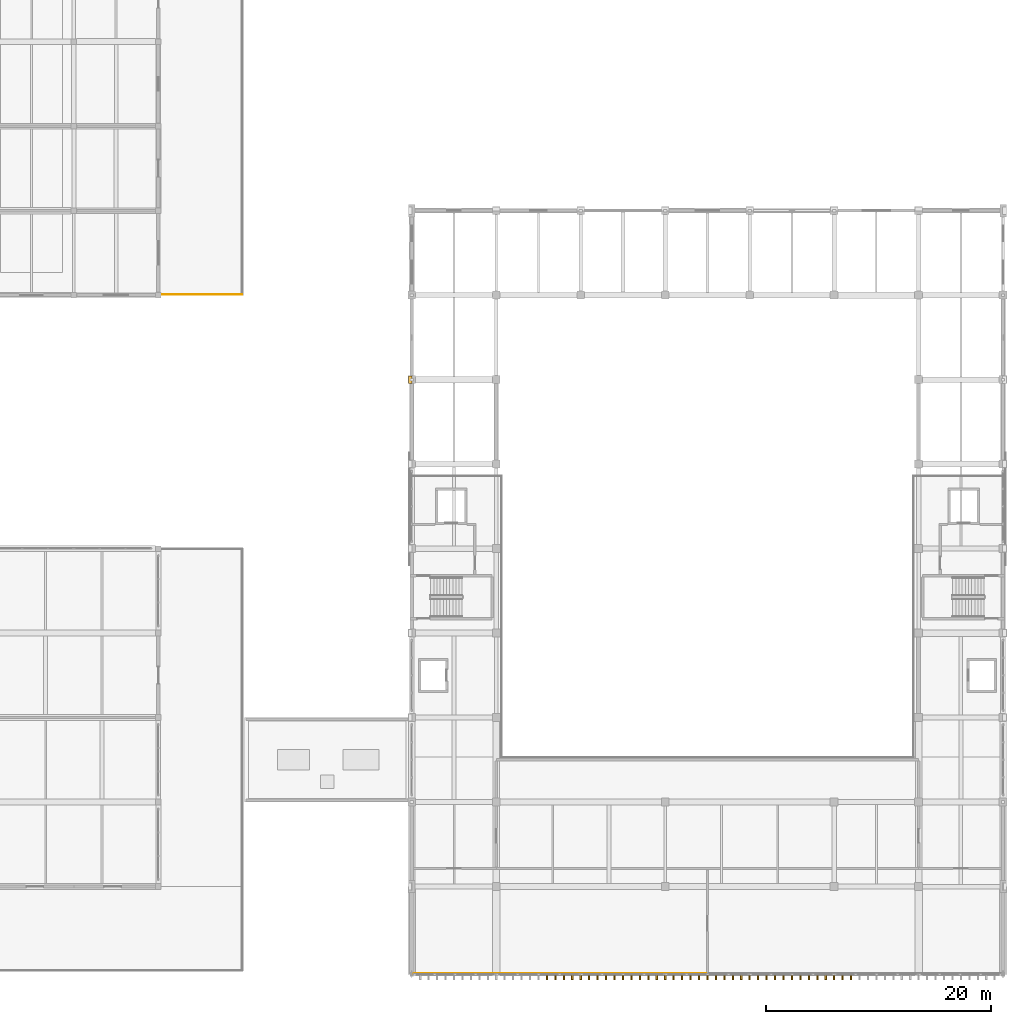
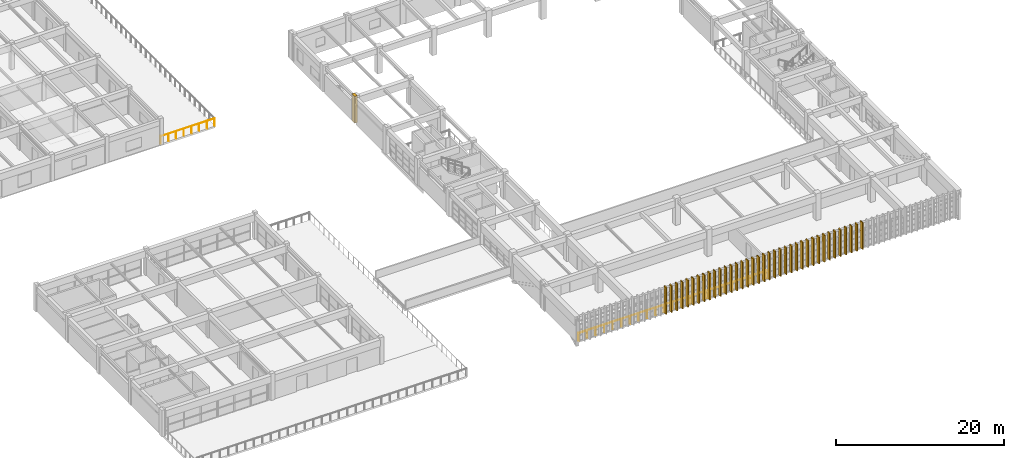
# One storey, part 76 of 82: 38 coverings, 2 railings.
"""IFC4 building model written with IfcOpenShell, lengths in metres."""

from ifc_helpers import new_model, si_unit, direction, frame, origin, origin_2d, place, context, subcontext, project, spatial, rectangle, circle, extrude, material, layer, layer_set, type_object, element, save


model = new_model("IFC4")

# Units and contexts
model_context = context("Model", 3, precision=1e-05, world=origin(), true_north=direction((0.0, 1.0)))
body_context = subcontext(model_context, "Body", "Model", "MODEL_VIEW")
ifc_project = project(units=[si_unit("LENGTHUNIT", "METRE"), si_unit("AREAUNIT", "SQUARE_METRE"), si_unit("VOLUMEUNIT", "CUBIC_METRE"), si_unit("PLANEANGLEUNIT", "RADIAN"), si_unit("MASSUNIT", "GRAM", prefix="KILO")], contexts=[model_context])

# Site, building, storey
site_placement = place(None, origin())
site = spatial("IfcSite", under=ifc_project, at=site_placement, CompositionType="ELEMENT")
building_placement = place(site_placement, origin())
building = spatial("IfcBuilding", under=site, at=building_placement, Name="Qasida Concert Hall", CompositionType="ELEMENT")
storey_placement = place(building_placement, frame((0.0, 0.0, 17.10009765625)))
storey = spatial("IfcBuildingStorey", under=building, at=storey_placement, Name="L04", CompositionType="ELEMENT", Elevation=17.10009765625)

# Coverings
ifc_material_1 = material(Name="Fluted ochre Lebanese limestone and patinated bronze fin", Category="masonry")
ifc_layer_1 = layer(ifc_material_1, 0.52001953125, Name="Fluted ochre Lebanese limestone and patinated bronze fin")
ifc_layer_set_1 = layer_set([ifc_layer_1], Name="Fluted ochre Lebanese limestone and patinated bronze fin")
covering_type_1 = type_object("IfcCoveringType", Name="CV-FIN-520", PredefinedType="CLADDING", material=ifc_layer_set_1)
for number, where, z_axis, x_axis, name in (
    (1, (64.5, 14.4599609375, 0.0), (0.0, 0.0, 1.0), (1.0, 0.0, 0.0), "L04 fluted facade fin FN-016"),
    (2, (65.25, 14.4599609375, 0.0), (0.0, 0.0, 1.0), (1.0, 0.0, 0.0), "L04 fluted facade fin FN-017"),
    (3, (66.0, 14.4599609375, 0.0), (0.0, 0.0, 1.0), (1.0, 0.0, 0.0), "L04 fluted facade fin FN-018"),
    (4, (66.75, 14.4599609375, 0.0), (0.0, 0.0, 1.0), (1.0, 0.0, 0.0), "L04 fluted facade fin FN-019"),
    (5, (67.5, 14.4599609375, 0.0), (0.0, 0.0, 1.0), (1.0, 0.0, 0.0), "L04 fluted facade fin FN-020"),
    (6, (68.25, 14.4599609375, 0.0), (0.0, 0.0, 1.0), (1.0, 0.0, 0.0), "L04 fluted facade fin FN-021"),
    (7, (69.0, 14.4599609375, 0.0), (0.0, 0.0, 1.0), (1.0, 0.0, 0.0), "L04 fluted facade fin FN-022"),
    (8, (69.75, 14.4599609375, 0.0), (0.0, 0.0, 1.0), (1.0, 0.0, 0.0), "L04 fluted facade fin FN-023"),
    (9, (70.5, 14.4599609375, 0.0), (0.0, 0.0, 1.0), (1.0, 0.0, 0.0), "L04 fluted facade fin FN-024"),
    (10, (71.25, 14.4599609375, 0.0), (0.0, 0.0, 1.0), (1.0, 0.0, 0.0), "L04 fluted facade fin FN-025"),
    (11, (72.0, 14.4599609375, 0.0), (0.0, 0.0, 1.0), (1.0, 0.0, 0.0), "L04 fluted facade fin FN-026"),
    (12, (72.75, 14.4599609375, 0.0), (0.0, 0.0, 1.0), (1.0, 0.0, 0.0), "L04 fluted facade fin FN-027"),
    (13, (73.5, 14.4599609375, 0.0), (0.0, 0.0, 1.0), (1.0, 0.0, 0.0), "L04 fluted facade fin FN-028"),
    (14, (74.25, 14.4599609375, 0.0), (0.0, 0.0, 1.0), (1.0, 0.0, 0.0), "L04 fluted facade fin FN-029"),
    (15, (75.0, 14.4599609375, 0.0), (0.0, 0.0, 1.0), (1.0, 0.0, 0.0), "L04 fluted facade fin FN-030"),
    (16, (75.75, 14.4599609375, 0.0), (0.0, 0.0, 1.0), (1.0, 0.0, 0.0), "L04 fluted facade fin FN-031"),
    (17, (76.5, 14.4599609375, 0.0), (0.0, 0.0, 1.0), (1.0, 0.0, 0.0), "L04 fluted facade fin FN-032"),
    (18, (77.25, 14.4599609375, 0.0), (0.0, 0.0, 1.0), (1.0, 0.0, 0.0), "L04 fluted facade fin FN-033"),
    (19, (78.0, 14.4599609375, 0.0), (0.0, 0.0, 1.0), (1.0, 0.0, 0.0), "L04 fluted facade fin FN-034"),
    (20, (78.75, 14.4599609375, 0.0), (0.0, 0.0, 1.0), (1.0, 0.0, 0.0), "L04 fluted facade fin FN-035"),
    (21, (79.5, 14.4599609375, 0.0), (0.0, 0.0, 1.0), (1.0, 0.0, 0.0), "L04 fluted facade fin FN-036"),
    (22, (80.25, 14.4599609375, 0.0), (0.0, 0.0, 1.0), (1.0, 0.0, 0.0), "L04 fluted facade fin FN-037"),
    (23, (81.0, 14.4599609375, 0.0), (0.0, 0.0, 1.0), (1.0, 0.0, 0.0), "L04 fluted facade fin FN-038"),
    (24, (81.75, 14.4599609375, 0.0), (0.0, 0.0, 1.0), (1.0, 0.0, 0.0), "L04 fluted facade fin FN-039"),
    (25, (82.5, 14.4599609375, 0.0), (0.0, 0.0, 1.0), (1.0, 0.0, 0.0), "L04 fluted facade fin FN-040"),
    (26, (83.25, 14.4599609375, 0.0), (0.0, 0.0, 1.0), (1.0, 0.0, 0.0), "L04 fluted facade fin FN-041"),
    (27, (84.0, 14.4599609375, 0.0), (0.0, 0.0, 1.0), (1.0, 0.0, 0.0), "L04 fluted facade fin FN-042"),
    (28, (84.75, 14.4599609375, 0.0), (0.0, 0.0, 1.0), (1.0, 0.0, 0.0), "L04 fluted facade fin FN-043"),
    (29, (85.5, 14.4599609375, 0.0), (0.0, 0.0, 1.0), (1.0, 0.0, 0.0), "L04 fluted facade fin FN-044"),
    (30, (86.25, 14.4599609375, 0.0), (0.0, 0.0, 1.0), (1.0, 0.0, 0.0), "L04 fluted facade fin FN-045"),
    (31, (87.0, 14.4599609375, 0.0), (0.0, 0.0, 1.0), (1.0, 0.0, 0.0), "L04 fluted facade fin FN-046"),
    (32, (87.75, 14.4599609375, 0.0), (0.0, 0.0, 1.0), (1.0, 0.0, 0.0), "L04 fluted facade fin FN-047"),
    (33, (88.5, 14.4599609375, 0.0), (0.0, 0.0, 1.0), (1.0, 0.0, 0.0), "L04 fluted facade fin FN-048"),
    (34, (89.25, 14.4599609375, 0.0), (0.0, 0.0, 1.0), (1.0, 0.0, 0.0), "L04 fluted facade fin FN-049"),
    (35, (90.0, 14.4599609375, 0.0), (0.0, 0.0, 1.0), (1.0, 0.0, 0.0), "L04 fluted facade fin FN-050"),
    (36, (90.75, 14.4599609375, 0.0), (0.0, 0.0, 1.0), (1.0, 0.0, 0.0), "L04 fluted facade fin FN-051"),
    (37, (91.5, 14.4599609375, 0.0), (0.0, 0.0, 1.0), (1.0, 0.0, 0.0), "L04 fluted facade fin FN-052"),
):
    element("IfcCovering", number, at=place(storey_placement, frame(where, z_axis=z_axis, x_axis=x_axis)), inside=storey, type_object=covering_type_1, Name=name, PredefinedType="CLADDING", context=body_context, shape_type="SweptSolid", body=[
        extrude(rectangle(XDim=0.139892578125, YDim=0.52001953125, at=origin_2d()), origin(), (0.0, 0.0, 1.0), 3.89990234375),
    ])
ifc_material_2 = material(Name="Projecting fluted Lebanese limestone Art Deco pilaster", Category="masonry")
ifc_layer_2 = layer(ifc_material_2, 0.35009765625, Name="Projecting fluted Lebanese limestone Art Deco pilaster")
ifc_layer_set_2 = layer_set([ifc_layer_2], Name="Projecting fluted Lebanese limestone Art Deco pilaster")
covering_type_2 = type_object("IfcCoveringType", Name="CV-PIL-650", PredefinedType="CLADDING", material=ifc_layer_set_2)
covering_placement = place(storey_placement, frame((52.364990234375, 67.5, 0.0), z_axis=(0.0, 0.0, 1.0), x_axis=(1.0, 0.0, 0.0)))
element("IfcCovering", 38, at=covering_placement, inside=storey, type_object=covering_type_2, Name="L04 fluted limestone pilaster 0075", PredefinedType="CLADDING", context=body_context, shape_type="SweptSolid", body=[
    extrude(rectangle(XDim=0.35009765625, YDim=0.64990234375, at=origin_2d()), origin(), (0.0, 0.0, 1.0), 3.89990234375),
])

# Railings
ifc_material_3 = material(Name="Patinated architectural bronze and laminated glass infill", Category="glass")
ifc_layer_3 = layer(ifc_material_3, 0.080078125, Name="Patinated architectural bronze and laminated glass infill")
ifc_layer_set_3 = layer_set([ifc_layer_3], Name="Patinated architectural bronze and laminated glass infill")
railing_type = type_object("IfcRailingType", Name="RL-GRD-1100", PredefinedType="GUARDRAIL", material=ifc_layer_set_3)
railing_1_placement = place(storey_placement, frame((30.050048828125, 75.050048828125, 0.0)))
element("IfcRailing", 39, at=railing_1_placement, inside=storey, type_object=railing_type, Name="L04 Ziggurat L04 terrace guardrail 0008", PredefinedType="GUARDRAIL", context=body_context, shape_type="SweptSolid", body=[
    extrude(circle(Radius=0.02392578125, at=origin_2d()), frame((0.0, 0.0, 1.09619140625), z_axis=(1.0, 0.0, 0.0), x_axis=(0.0, 1.0, 0.0)), (0.0, 0.0, 1.0), 7.39990234375),
    extrude(circle(Radius=0.02099609375, at=origin_2d()), origin(), (0.0, 0.0, 1.0), 1.072021484375),
    extrude(circle(Radius=0.02099609375, at=origin_2d()), frame((1.05712890625, 0.0, 0.0)), (0.0, 0.0, 1.0), 1.072021484375),
    extrude(circle(Radius=0.02099609375, at=origin_2d()), frame((2.1142578125, 0.0, 0.0)), (0.0, 0.0, 1.0), 1.072021484375),
    extrude(circle(Radius=0.02099609375, at=origin_2d()), frame((3.17138671875, 0.0, 0.0)), (0.0, 0.0, 1.0), 1.072021484375),
    extrude(circle(Radius=0.02099609375, at=origin_2d()), frame((4.228515625, 0.0, 0.0)), (0.0, 0.0, 1.0), 1.072021484375),
    extrude(circle(Radius=0.02099609375, at=origin_2d()), frame((5.28564453125, 0.0, 0.0)), (0.0, 0.0, 1.0), 1.072021484375),
    extrude(circle(Radius=0.02099609375, at=origin_2d()), frame((6.3427734375, 0.0, 0.0)), (0.0, 0.0, 1.0), 1.072021484375),
    extrude(circle(Radius=0.02099609375, at=origin_2d()), frame((7.39990234375, 0.0, 0.0)), (0.0, 0.0, 1.0), 1.072021484375),
])
railing_2_placement = place(storey_placement, frame((52.699951171875, 14.760009765625, 0.0)))
element("IfcRailing", 40, at=railing_2_placement, inside=storey, type_object=railing_type, Name="L04 South overhang west gallery guard 0020", PredefinedType="GUARDRAIL", context=body_context, shape_type="SweptSolid", body=[
    extrude(circle(Radius=0.02392578125, at=origin_2d()), frame((0.0, 0.0, 1.09619140625), z_axis=(1.0, 0.0, 0.0), x_axis=(0.0, 1.0, 0.0)), (0.0, 0.0, 1.0), 25.929931640625),
    extrude(circle(Radius=0.02099609375, at=origin_2d()), origin(), (0.0, 0.0, 1.0), 1.072021484375),
    extrude(circle(Radius=0.02099609375, at=origin_2d()), frame((1.1787109375, 0.0, 0.0)), (0.0, 0.0, 1.0), 1.072021484375),
    extrude(circle(Radius=0.02099609375, at=origin_2d()), frame((2.357177734375, 0.0, 0.0)), (0.0, 0.0, 1.0), 1.072021484375),
    extrude(circle(Radius=0.02099609375, at=origin_2d()), frame((3.535888671875, 0.0, 0.0)), (0.0, 0.0, 1.0), 1.072021484375),
    extrude(circle(Radius=0.02099609375, at=origin_2d()), frame((4.714599609375, 0.0, 0.0)), (0.0, 0.0, 1.0), 1.072021484375),
    extrude(circle(Radius=0.02099609375, at=origin_2d()), frame((5.89306640625, 0.0, 0.0)), (0.0, 0.0, 1.0), 1.072021484375),
    extrude(circle(Radius=0.02099609375, at=origin_2d()), frame((7.07177734375, 0.0, 0.0)), (0.0, 0.0, 1.0), 1.072021484375),
    extrude(circle(Radius=0.02099609375, at=origin_2d()), frame((8.25048828125, 0.0, 0.0)), (0.0, 0.0, 1.0), 1.072021484375),
    extrude(circle(Radius=0.02099609375, at=origin_2d()), frame((9.428955078125, 0.0, 0.0)), (0.0, 0.0, 1.0), 1.072021484375),
    extrude(circle(Radius=0.02099609375, at=origin_2d()), frame((10.607666015625, 0.0, 0.0)), (0.0, 0.0, 1.0), 1.072021484375),
    extrude(circle(Radius=0.02099609375, at=origin_2d()), frame((11.786376953125, 0.0, 0.0)), (0.0, 0.0, 1.0), 1.072021484375),
    extrude(circle(Radius=0.02099609375, at=origin_2d()), frame((12.96484375, 0.0, 0.0)), (0.0, 0.0, 1.0), 1.072021484375),
    extrude(circle(Radius=0.02099609375, at=origin_2d()), frame((14.1435546875, 0.0, 0.0)), (0.0, 0.0, 1.0), 1.072021484375),
    extrude(circle(Radius=0.02099609375, at=origin_2d()), frame((15.322265625, 0.0, 0.0)), (0.0, 0.0, 1.0), 1.072021484375),
    extrude(circle(Radius=0.02099609375, at=origin_2d()), frame((16.5009765625, 0.0, 0.0)), (0.0, 0.0, 1.0), 1.072021484375),
    extrude(circle(Radius=0.02099609375, at=origin_2d()), frame((17.679443359375, 0.0, 0.0)), (0.0, 0.0, 1.0), 1.072021484375),
    extrude(circle(Radius=0.02099609375, at=origin_2d()), frame((18.858154296875, 0.0, 0.0)), (0.0, 0.0, 1.0), 1.072021484375),
    extrude(circle(Radius=0.02099609375, at=origin_2d()), frame((20.036865234375, 0.0, 0.0)), (0.0, 0.0, 1.0), 1.072021484375),
    extrude(circle(Radius=0.02099609375, at=origin_2d()), frame((21.21533203125, 0.0, 0.0)), (0.0, 0.0, 1.0), 1.072021484375),
    extrude(circle(Radius=0.02099609375, at=origin_2d()), frame((22.39404296875, 0.0, 0.0)), (0.0, 0.0, 1.0), 1.072021484375),
    extrude(circle(Radius=0.02099609375, at=origin_2d()), frame((23.57275390625, 0.0, 0.0)), (0.0, 0.0, 1.0), 1.072021484375),
    extrude(circle(Radius=0.02099609375, at=origin_2d()), frame((24.751220703125, 0.0, 0.0)), (0.0, 0.0, 1.0), 1.072021484375),
    extrude(circle(Radius=0.02099609375, at=origin_2d()), frame((25.929931640625, 0.0, 0.0)), (0.0, 0.0, 1.0), 1.072021484375),
])

save(model, "model.ifc")
